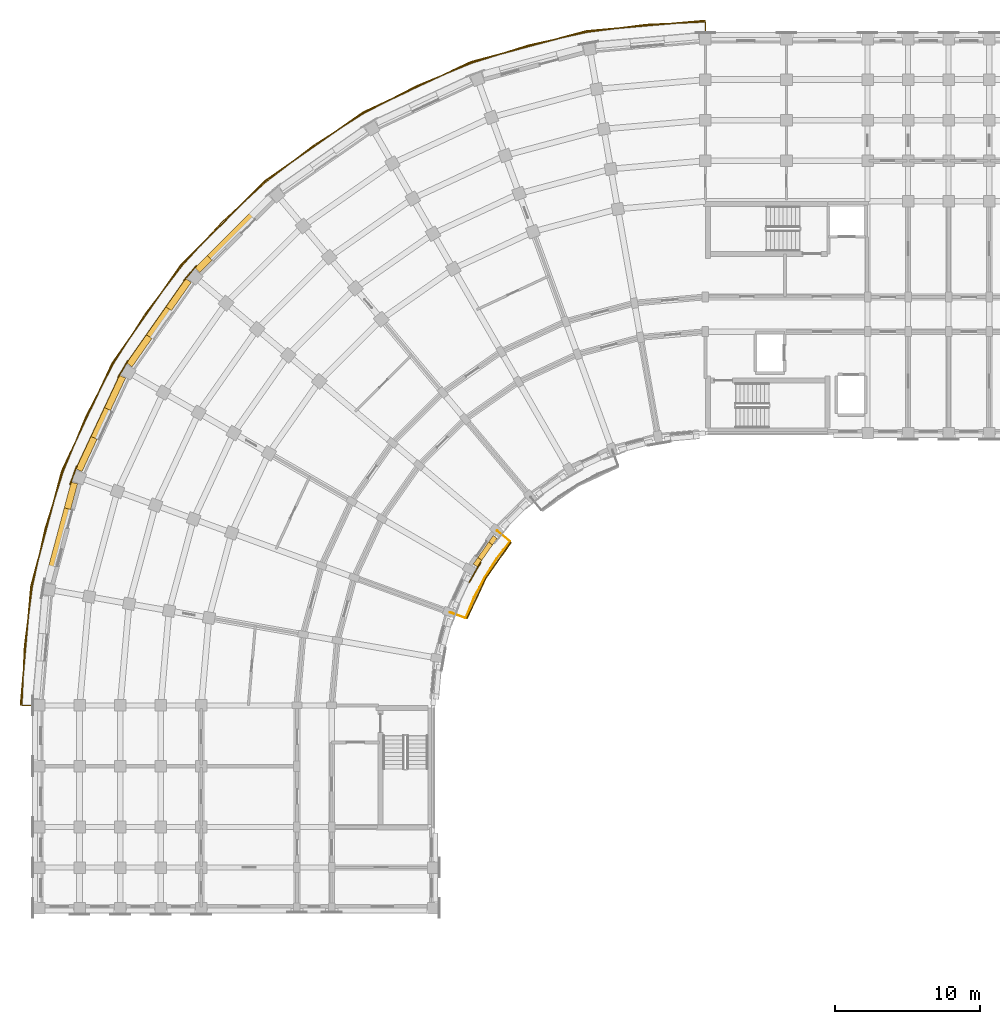
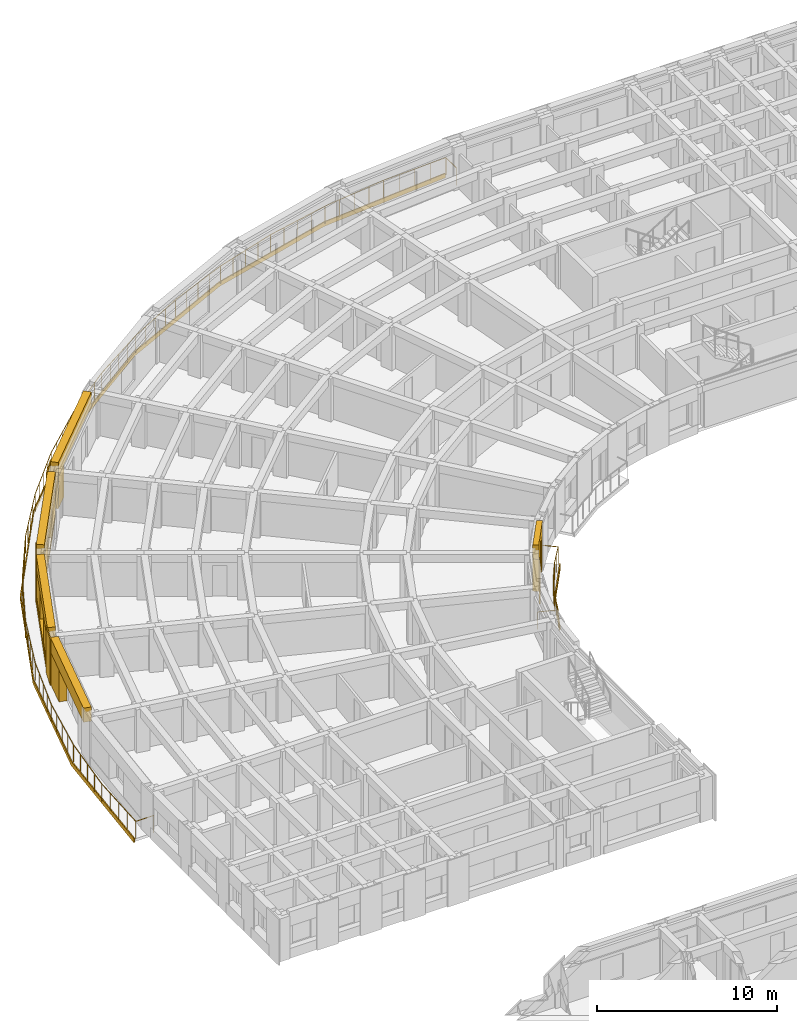
# One storey, part 45 of 54: 21 coverings, 2 railings.
"""IFC4 building model written with IfcOpenShell, lengths in metres."""

from ifc_helpers import new_model, si_unit, direction, frame, origin, origin_2d, place, context, subcontext, project, spatial, polyline, circle, outline, extrude, material, layer, layer_set, type_object, element, save


model = new_model("IFC4")

# Units and contexts
model_context = context("Model", 3, precision=1e-05, world=origin(), true_north=direction((0.0, 1.0)))
body_context = subcontext(model_context, "Body", "Model", "MODEL_VIEW")
ifc_project = project(units=[si_unit("LENGTHUNIT", "METRE"), si_unit("AREAUNIT", "SQUARE_METRE"), si_unit("VOLUMEUNIT", "CUBIC_METRE"), si_unit("PLANEANGLEUNIT", "RADIAN"), si_unit("MASSUNIT", "GRAM", prefix="KILO")], contexts=[model_context])

# Site, building, storey
site_placement = place(None, origin())
site = spatial("IfcSite", under=ifc_project, at=site_placement, CompositionType="ELEMENT")
building_placement = place(site_placement, origin())
building = spatial("IfcBuilding", under=site, at=building_placement, Name="Kiranvali Square Residences", CompositionType="ELEMENT")
storey_placement = place(building_placement, frame((0.0, 0.0, 15.0)))
storey = spatial("IfcBuildingStorey", under=building, at=storey_placement, Name="L04", CompositionType="ELEMENT", Elevation=15.0)

# Coverings
ifc_material_1 = material(Name="Carved Porbandar limestone classical entablature and cornice", Category="masonry")
ifc_layer_1 = layer(ifc_material_1, 0.072021484375)
ifc_layer_set_1 = layer_set([ifc_layer_1], Name="Carved Porbandar limestone classical entablature and cornice")
covering_type_1 = type_object("IfcCoveringType", Name="COV-CLAD-BAL", PredefinedType="CLADDING", material=ifc_layer_set_1)
covering_1_placement = place(storey_placement, frame((0.0, 0.0, -0.239990234375)))
element("IfcCovering", 1, at=covering_1_placement, inside=storey, type_object=covering_type_1, Name="Block A L04 continuous curved limestone balcony fascia", PredefinedType="CLADDING", context=body_context, shape_type="SweptSolid", body=[
    extrude(outline(polyline([(48.199951171875, 135.117919921875), (39.9833984375, 134.399169921875), (32.016357421875, 132.264404296875), (24.541015625, 128.778564453125), (17.78466796875, 124.047607421875), (11.952392578125, 118.21533203125), (7.221435546875, 111.458984375), (3.735595703125, 103.983642578125), (1.600830078125, 96.0166015625), (0.882080078125, 87.800048828125), (0.947998046875, 87.800048828125), (1.665771484375, 96.005126953125), (3.797607421875, 103.961181640625), (7.278564453125, 111.426025390625), (12.0029296875, 118.173095703125), (17.826904296875, 123.9970703125), (24.573974609375, 128.721435546875), (32.038818359375, 132.202392578125), (39.994873046875, 134.334228515625), (48.199951171875, 135.052001953125), (48.199951171875, 135.117919921875)])), origin(), (0.0, 0.0, 1.0), 0.300048828125),
])
ifc_layer_2 = layer(ifc_material_1, 0.06201171875)
ifc_layer_set_2 = layer_set([ifc_layer_2], Name="Carved Porbandar limestone classical entablature and cornice")
covering_type_2 = type_object("IfcCoveringType", Name="COV-CLAD-GBAL", PredefinedType="CLADDING", material=ifc_layer_set_2)
covering_2_placement = place(storey_placement, frame((0.0, 0.0, -0.219970703125)))
element("IfcCovering", 2, at=covering_2_placement, inside=storey, type_object=covering_type_2, Name="Block A L04 garden balcony limestone fascia 2", PredefinedType="CLADDING", context=body_context, shape_type="SweptSolid", body=[
    extrude(outline(polyline([(34.757568359375, 99.07958984375), (33.0029296875, 96.573974609375), (31.710205078125, 93.8017578125), (31.774169921875, 93.778564453125), (33.061767578125, 96.5400390625), (34.8095703125, 99.035888671875), (34.757568359375, 99.07958984375)])), origin(), (0.0, 0.0, 1.0), 0.27001953125),
])
ifc_material_2 = material(Name="Honed Porbandar limestone ashlar facade cladding", Category="masonry")
ifc_layer_3 = layer(ifc_material_2, 0.3798828125)
ifc_layer_set_3 = layer_set([ifc_layer_3], Name="Honed Porbandar limestone ashlar facade cladding")
covering_type_3 = type_object("IfcCoveringType", Name="COV-CLAD-JAMB", PredefinedType="CLADDING", material=ifc_layer_set_3)
covering_3_placement = place(storey_placement, origin())
element("IfcCovering", 3, at=covering_3_placement, inside=storey, type_object=covering_type_3, Name="L04 deep limestone window jamb reveal A-L04-CRV-04.R", PredefinedType="CLADDING", context=body_context, shape_type="SweptSolid", body=[
    extrude(outline(polyline([(13.803955078125, 118.86083984375), (12.954833984375, 118.01171875), (13.27978515625, 117.686767578125), (14.12890625, 118.535888671875), (13.803955078125, 118.86083984375)])), origin(), (0.0, 0.0, 1.0), 2.179931640625),
])
covering_4_placement = place(storey_placement, frame((0.0, 0.0, 0.322021484375)))
element("IfcCovering", 4, at=covering_4_placement, inside=storey, type_object=covering_type_3, Name="L04 deep limestone window jamb reveal A-L04-CRV-05.L", PredefinedType="CLADDING", context=body_context, shape_type="SweptSolid", body=[
    extrude(outline(polyline([(12.3271484375, 117.263427734375), (10.95947265625, 115.310546875), (11.3359375, 115.046875), (12.703369140625, 117.0), (12.3271484375, 117.263427734375)])), origin(), (0.0, 0.0, 1.0), 1.949951171875),
])
covering_5_placement = place(storey_placement, frame((0.0, 0.0, 0.322021484375)))
element("IfcCovering", 5, at=covering_5_placement, inside=storey, type_object=covering_type_3, Name="L04 deep limestone window jamb reveal A-L04-CRV-05.R", PredefinedType="CLADDING", context=body_context, shape_type="SweptSolid", body=[
    extrude(outline(polyline([(9.611572265625, 113.385498046875), (8.244140625, 111.432373046875), (8.62060546875, 111.1689453125), (9.988037109375, 113.121826171875), (9.611572265625, 113.385498046875)])), origin(), (0.0, 0.0, 1.0), 1.949951171875),
])
covering_6_placement = place(storey_placement, frame((0.0, 0.0, 0.471923828125)))
element("IfcCovering", 6, at=covering_6_placement, inside=storey, type_object=covering_type_3, Name="L04 deep limestone window jamb reveal A-L04-CRV-06.L", PredefinedType="CLADDING", context=body_context, shape_type="SweptSolid", body=[
    extrude(outline(polyline([(7.755859375, 110.586669921875), (6.716552734375, 108.35791015625), (7.1328125, 108.16357421875), (8.172119140625, 110.392333984375), (7.755859375, 110.586669921875)])), origin(), (0.0, 0.0, 1.0), 1.800048828125),
])
covering_7_placement = place(storey_placement, frame((0.0, 0.0, 0.471923828125)))
element("IfcCovering", 7, at=covering_7_placement, inside=storey, type_object=covering_type_3, Name="L04 deep limestone window jamb reveal A-L04-CRV-06.R", PredefinedType="CLADDING", context=body_context, shape_type="SweptSolid", body=[
    extrude(outline(polyline([(5.78662109375, 106.364013671875), (4.747314453125, 104.13525390625), (5.163818359375, 103.94091796875), (6.203125, 106.169677734375), (5.78662109375, 106.364013671875)])), origin(), (0.0, 0.0, 1.0), 1.800048828125),
])
covering_8_placement = place(storey_placement, origin())
element("IfcCovering", 8, at=covering_8_placement, inside=storey, type_object=covering_type_3, Name="L04 deep limestone window jamb reveal A-L04-CRV-07.L", PredefinedType="CLADDING", context=body_context, shape_type="SweptSolid", body=[
    extrude(outline(polyline([(4.413330078125, 103.21728515625), (3.936767578125, 101.438720703125), (4.380615234375, 101.31982421875), (4.857177734375, 103.098388671875), (4.413330078125, 103.21728515625)])), origin(), (0.0, 0.0, 1.0), 2.179931640625),
])
covering_9_placement = place(storey_placement, origin())
element("IfcCovering", 9, at=covering_9_placement, inside=storey, type_object=covering_type_3, Name="L04 deep limestone window jamb reveal A-L04-GDN-05.L", PredefinedType="CLADDING", context=body_context, shape_type="SweptSolid", body=[
    extrude(outline(polyline([(33.54638671875, 99.523681640625), (33.231689453125, 99.074462890625), (33.509765625, 98.879638671875), (33.824462890625, 99.328857421875), (33.54638671875, 99.523681640625)])), origin(), (0.0, 0.0, 1.0), 2.179931640625),
])
covering_10_placement = place(storey_placement, origin())
element("IfcCovering", 10, at=covering_10_placement, inside=storey, type_object=covering_type_3, Name="L04 deep limestone window jamb reveal A-L04-GDN-05.R", PredefinedType="CLADDING", context=body_context, shape_type="SweptSolid", body=[
    extrude(outline(polyline([(32.486083984375, 98.009521484375), (32.171630859375, 97.56005859375), (32.44970703125, 97.365478515625), (32.76416015625, 97.814697265625), (32.486083984375, 98.009521484375)])), origin(), (0.0, 0.0, 1.0), 2.179931640625),
])
ifc_layer_4 = layer(ifc_material_2, 0.06494140625)
ifc_layer_set_4 = layer_set([ifc_layer_4], Name="Honed Porbandar limestone ashlar facade cladding")
covering_type_4 = type_object("IfcCoveringType", Name="COV-CLAD-PIER", PredefinedType="CLADDING", material=ifc_layer_set_4)
covering_11_placement = place(storey_placement, frame((0.0, 0.0, 0.0048828125)))
element("IfcCovering", 11, at=covering_11_placement, inside=storey, type_object=covering_type_4, Name="L04 Classical limestone corner pilaster CLAD-PR-A-L04-A05", PredefinedType="CLADDING", context=body_context, shape_type="SweptSolid", body=[
    extrude(outline(polyline([(13.04052734375, 118.18994140625), (12.166259765625, 117.148193359375), (12.218017578125, 117.104736328125), (13.09228515625, 118.146484375), (13.04052734375, 118.18994140625)])), origin(), (0.0, 0.0, 1.0), 3.14013671875),
])
covering_12_placement = place(storey_placement, frame((0.0, 0.0, 0.0048828125)))
element("IfcCovering", 12, at=covering_12_placement, inside=storey, type_object=covering_type_4, Name="L04 Classical limestone corner pilaster CLAD-PR-A-L04-A06", PredefinedType="CLADDING", context=body_context, shape_type="SweptSolid", body=[
    extrude(outline(polyline([(8.297607421875, 111.622802734375), (7.617431640625, 110.445068359375), (7.676025390625, 110.411376953125), (8.35595703125, 111.589111328125), (8.297607421875, 111.622802734375)])), origin(), (0.0, 0.0, 1.0), 3.14013671875),
])
covering_13_placement = place(storey_placement, frame((0.0, 0.0, 0.0048828125)))
element("IfcCovering", 13, at=covering_13_placement, inside=storey, type_object=covering_type_4, Name="L04 Classical limestone corner pilaster CLAD-PR-A-L04-A07", PredefinedType="CLADDING", context=body_context, shape_type="SweptSolid", body=[
    extrude(outline(polyline([(4.766845703125, 104.33203125), (4.3017578125, 103.053955078125), (4.365234375, 103.031005859375), (4.830322265625, 104.308837890625), (4.766845703125, 104.33203125)])), origin(), (0.0, 0.0, 1.0), 3.14013671875),
])
ifc_layer_5 = layer(ifc_material_2, 0.050048828125)
ifc_layer_set_5 = layer_set([ifc_layer_5], Name="Honed Porbandar limestone ashlar facade cladding")
covering_type_5 = type_object("IfcCoveringType", Name="COV-CLAD-PIER-IN", PredefinedType="CLADDING", material=ifc_layer_set_5)
covering_14_placement = place(storey_placement, frame((0.0, 0.0, 0.0048828125)))
element("IfcCovering", 14, at=covering_14_placement, inside=storey, type_object=covering_type_5, Name="L04 Classical garden courtyard pilaster CLAD-PRIN-A-L04-A06", PredefinedType="CLADDING", context=body_context, shape_type="SweptSolid", body=[
    extrude(outline(polyline([(31.924072265625, 96.273193359375), (32.72412109375, 97.658935546875), (32.66552734375, 97.692626953125), (31.865478515625, 96.306884765625), (31.924072265625, 96.273193359375)])), origin(), (0.0, 0.0, 1.0), 3.14013671875),
])
ifc_layer_6 = layer(ifc_material_2, 0.360107421875)
ifc_layer_set_6 = layer_set([ifc_layer_6], Name="Honed Porbandar limestone ashlar facade cladding")
covering_type_6 = type_object("IfcCoveringType", Name="COV-CLAD-WALL", PredefinedType="CLADDING", material=ifc_layer_set_6)
covering_15_placement = place(storey_placement, frame((0.0, 0.0, 2.179931640625)))
element("IfcCovering", 15, at=covering_15_placement, inside=storey, type_object=covering_type_6, Name="L04 light limestone spandrel lintel A-L04-CRV-04", PredefinedType="CLADDING", context=body_context, shape_type="SweptSolid", body=[
    extrude(outline(polyline([(17.98828125, 123.045166015625), (12.954833984375, 118.01171875), (13.27978515625, 117.686767578125), (18.313232421875, 122.72021484375), (17.98828125, 123.045166015625)])), origin(), (0.0, 0.0, 1.0), 0.965087890625),
])
covering_16_placement = place(storey_placement, frame((0.0, 0.0, 2.27197265625)))
element("IfcCovering", 16, at=covering_16_placement, inside=storey, type_object=covering_type_6, Name="L04 light limestone spandrel lintel A-L04-CRV-05", PredefinedType="CLADDING", context=body_context, shape_type="SweptSolid", body=[
    extrude(outline(polyline([(12.3271484375, 117.263427734375), (8.244140625, 111.432373046875), (8.62060546875, 111.1689453125), (12.703369140625, 117.0), (12.3271484375, 117.263427734375)])), origin(), (0.0, 0.0, 1.0), 0.873046875),
])
covering_17_placement = place(storey_placement, frame((0.0, 0.0, 0.0048828125)))
element("IfcCovering", 17, at=covering_17_placement, inside=storey, type_object=covering_type_6, Name="L04 limestone window sill apron A-L04-CRV-05", PredefinedType="CLADDING", context=body_context, shape_type="SweptSolid", body=[
    extrude(outline(polyline([(12.302490234375, 117.28076171875), (8.219482421875, 111.44970703125), (8.62060546875, 111.1689453125), (12.703369140625, 117.0), (12.302490234375, 117.28076171875)])), origin(), (0.0, 0.0, 1.0), 0.317138671875),
])
covering_18_placement = place(storey_placement, frame((0.0, 0.0, 2.27197265625)))
element("IfcCovering", 18, at=covering_18_placement, inside=storey, type_object=covering_type_6, Name="L04 light limestone spandrel lintel A-L04-CRV-06", PredefinedType="CLADDING", context=body_context, shape_type="SweptSolid", body=[
    extrude(outline(polyline([(7.755859375, 110.586669921875), (4.747314453125, 104.13525390625), (5.163818359375, 103.94091796875), (8.172119140625, 110.392333984375), (7.755859375, 110.586669921875)])), origin(), (0.0, 0.0, 1.0), 0.873046875),
])
covering_19_placement = place(storey_placement, frame((0.0, 0.0, 0.0048828125)))
element("IfcCovering", 19, at=covering_19_placement, inside=storey, type_object=covering_type_6, Name="L04 limestone window sill apron A-L04-CRV-06", PredefinedType="CLADDING", context=body_context, shape_type="SweptSolid", body=[
    extrude(outline(polyline([(7.728515625, 110.59912109375), (4.72021484375, 104.14794921875), (5.163818359375, 103.94091796875), (8.172119140625, 110.392333984375), (7.728515625, 110.59912109375)])), origin(), (0.0, 0.0, 1.0), 0.467041015625),
])
covering_20_placement = place(storey_placement, frame((0.0, 0.0, 2.179931640625)))
element("IfcCovering", 20, at=covering_20_placement, inside=storey, type_object=covering_type_6, Name="L04 light limestone spandrel lintel A-L04-CRV-07", PredefinedType="CLADDING", context=body_context, shape_type="SweptSolid", body=[
    extrude(outline(polyline([(4.413330078125, 103.21728515625), (2.571044921875, 96.341552734375), (3.014892578125, 96.22265625), (4.857177734375, 103.098388671875), (4.413330078125, 103.21728515625)])), origin(), (0.0, 0.0, 1.0), 0.965087890625),
])
covering_21_placement = place(storey_placement, frame((0.0, 0.0, 2.179931640625)))
element("IfcCovering", 21, at=covering_21_placement, inside=storey, type_object=covering_type_6, Name="L04 light limestone spandrel lintel A-L04-GDN-05", PredefinedType="CLADDING", context=body_context, shape_type="SweptSolid", body=[
    extrude(outline(polyline([(33.54638671875, 99.523681640625), (32.171630859375, 97.56005859375), (32.44970703125, 97.365478515625), (33.824462890625, 99.328857421875), (33.54638671875, 99.523681640625)])), origin(), (0.0, 0.0, 1.0), 0.965087890625),
])

# Railings
ifc_material_3 = material(Name="Powder-coated architectural bronze balustrade", Category="steel")
railing_type = type_object("IfcRailingType", Name="RL-BAL-GOLD-1200", PredefinedType="BALUSTRADE", material=ifc_material_3)
railing_1_placement = place(storey_placement, frame((48.199951171875, 133.840087890625, 0.0)))
element("IfcRailing", 22, at=railing_1_placement, inside=storey, type_object=railing_type, Name="Block A L04 continuous curved corner gold balustrade", PredefinedType="BALUSTRADE", context=body_context, shape_type="SweptSolid", body=[
    extrude(circle(Radius=0.02392578125, at=origin_2d()), frame((0.0, 0.0, 1.17578125), z_axis=(0.0, 1.0, 0.0), x_axis=(-1.0, 0.0, 0.0)), (0.0, 0.0, 1.0), 1.14990234375),
    extrude(circle(Radius=0.02392578125, at=origin_2d()), frame((0.0, 1.14990234375, 1.17578125), z_axis=(-0.999049544955, -0.043589066576, 0.0), x_axis=(0.043589066576, -0.999049544955, 0.0)), (0.0, 0.0, 1.0), 4.11669921875),
    extrude(circle(Radius=0.02392578125, at=origin_2d()), frame((-4.11279296875, 0.970458984375, 1.17578125), z_axis=(-0.991444603928, -0.1305281477, 0.0), x_axis=(0.1305281477, -0.991444603928, 0.0)), (0.0, 0.0, 1.0), 4.11669921875),
    extrude(circle(Radius=0.02392578125, at=origin_2d()), frame((-8.1943359375, 0.43310546875, 1.17578125), z_axis=(-0.976292989924, -0.216453223181, 0.0), x_axis=(0.216453223181, -0.976292989924, 0.0)), (0.0, 0.0, 1.0), 4.116943359375),
    extrude(circle(Radius=0.02392578125, at=origin_2d()), frame((-12.213623046875, -0.4580078125, 1.17578125), z_axis=(-0.953710744932, -0.300725481131, 0.0), x_axis=(0.300725481131, -0.953710744932, 0.0)), (0.0, 0.0, 1.0), 4.116943359375),
    extrude(circle(Radius=0.02392578125, at=origin_2d()), frame((-16.139892578125, -1.696044921875, 1.17578125), z_axis=(-0.923880226262, -0.382681757498, 0.0), x_axis=(0.382681757498, -0.923880226262, 0.0)), (0.0, 0.0, 1.0), 4.116943359375),
    extrude(circle(Radius=0.02392578125, at=origin_2d()), frame((-19.943359375, -3.271484375, 1.17578125), z_axis=(-0.887013781313, -0.461742949877, 0.0), x_axis=(0.461742949877, -0.887013781313, 0.0)), (0.0, 0.0, 1.0), 4.11669921875),
    extrude(circle(Radius=0.02392578125, at=origin_2d()), frame((-23.594970703125, -5.17236328125, 1.17578125), z_axis=(-0.843402550976, -0.537282176335, 0.0), x_axis=(0.537282176335, -0.843402550976, 0.0)), (0.0, 0.0, 1.0), 4.116943359375),
    extrude(circle(Radius=0.02392578125, at=origin_2d()), frame((-27.067138671875, -7.38427734375, 1.17578125), z_axis=(-0.793339967331, -0.608778856594, 0.0), x_axis=(0.608778856594, -0.793339967331, 0.0)), (0.0, 0.0, 1.0), 4.11669921875),
    extrude(circle(Radius=0.02392578125, at=origin_2d()), frame((-30.3330078125, -9.890380859375, 1.17578125), z_axis=(-0.737299356654, -0.675566176386, 0.0), x_axis=(0.675566176386, -0.737299356654, 0.0)), (0.0, 0.0, 1.0), 4.116943359375),
    extrude(circle(Radius=0.02392578125, at=origin_2d()), frame((-33.368408203125, -12.671630859375, 1.17578125), z_axis=(-0.675566176386, -0.737299356654, 0.0), x_axis=(0.737299356654, -0.675566176386, 0.0)), (0.0, 0.0, 1.0), 4.116943359375),
    extrude(circle(Radius=0.02392578125, at=origin_2d()), frame((-36.149658203125, -15.70703125, 1.17578125), z_axis=(-0.608778856594, -0.793339967331, 0.0), x_axis=(0.793339967331, -0.608778856594, 0.0)), (0.0, 0.0, 1.0), 4.11669921875),
    extrude(circle(Radius=0.02392578125, at=origin_2d()), frame((-38.65576171875, -18.972900390625, 1.17578125), z_axis=(-0.537282176335, -0.843402550976, 0.0), x_axis=(0.843402550976, -0.537282176335, 0.0)), (0.0, 0.0, 1.0), 4.116943359375),
    extrude(circle(Radius=0.02392578125, at=origin_2d()), frame((-40.86767578125, -22.445068359375, 1.17578125), z_axis=(-0.461742949877, -0.887013781313, 0.0), x_axis=(0.887013781313, -0.461742949877, 0.0)), (0.0, 0.0, 1.0), 4.11669921875),
    extrude(circle(Radius=0.02392578125, at=origin_2d()), frame((-42.7685546875, -26.0966796875, 1.17578125), z_axis=(-0.382681757498, -0.923880226262, 0.0), x_axis=(0.923880226262, -0.382681757498, 0.0)), (0.0, 0.0, 1.0), 4.116943359375),
    extrude(circle(Radius=0.02392578125, at=origin_2d()), frame((-44.343994140625, -29.900146484375, 1.17578125), z_axis=(-0.300725481131, -0.953710744932, 0.0), x_axis=(0.953710744932, -0.300725481131, 0.0)), (0.0, 0.0, 1.0), 4.116943359375),
    extrude(circle(Radius=0.02392578125, at=origin_2d()), frame((-45.58203125, -33.826416015625, 1.17578125), z_axis=(-0.216453223181, -0.976292989924, 0.0), x_axis=(0.976292989924, -0.216453223181, 0.0)), (0.0, 0.0, 1.0), 4.116943359375),
    extrude(circle(Radius=0.02392578125, at=origin_2d()), frame((-46.47314453125, -37.845703125, 1.17578125), z_axis=(-0.1305281477, -0.991444603928, 0.0), x_axis=(0.991444603928, -0.1305281477, 0.0)), (0.0, 0.0, 1.0), 4.11669921875),
    extrude(circle(Radius=0.02392578125, at=origin_2d()), frame((-47.010498046875, -41.92724609375, 1.17578125), z_axis=(-0.043589066576, -0.999049544955, 0.0), x_axis=(0.999049544955, -0.043589066576, 0.0)), (0.0, 0.0, 1.0), 4.11669921875),
    extrude(circle(Radius=0.02392578125, at=origin_2d()), frame((-47.18994140625, -46.0400390625, 1.17578125), z_axis=(1.0, 0.0, 0.0), x_axis=(0.0, 1.0, 0.0)), (0.0, 0.0, 1.0), 1.14990234375),
    extrude(circle(Radius=0.02099609375, at=origin_2d()), origin(), (0.0, 0.0, 1.0), 1.15185546875),
    extrude(circle(Radius=0.02099609375, at=origin_2d()), frame((0.0, 1.14990234375, 0.0)), (0.0, 0.0, 1.0), 1.15185546875),
    extrude(circle(Radius=0.02099609375, at=origin_2d()), frame((-1.0283203125, 1.10498046875, 0.0)), (0.0, 0.0, 1.0), 1.15185546875),
    extrude(circle(Radius=0.02099609375, at=origin_2d()), frame((-2.056396484375, 1.06005859375, 0.0)), (0.0, 0.0, 1.0), 1.15185546875),
    extrude(circle(Radius=0.02099609375, at=origin_2d()), frame((-3.08447265625, 1.015380859375, 0.0)), (0.0, 0.0, 1.0), 1.15185546875),
    extrude(circle(Radius=0.02099609375, at=origin_2d()), frame((-4.11279296875, 0.970458984375, 0.0)), (0.0, 0.0, 1.0), 1.15185546875),
    extrude(circle(Radius=0.02099609375, at=origin_2d()), frame((-5.13330078125, 0.836181640625, 0.0)), (0.0, 0.0, 1.0), 1.15185546875),
    extrude(circle(Radius=0.02099609375, at=origin_2d()), frame((-6.153564453125, 0.70166015625, 0.0)), (0.0, 0.0, 1.0), 1.15185546875),
    extrude(circle(Radius=0.02099609375, at=origin_2d()), frame((-7.173828125, 0.5673828125, 0.0)), (0.0, 0.0, 1.0), 1.15185546875),
    extrude(circle(Radius=0.02099609375, at=origin_2d()), frame((-8.1943359375, 0.43310546875, 0.0)), (0.0, 0.0, 1.0), 1.15185546875),
    extrude(circle(Radius=0.02099609375, at=origin_2d()), frame((-9.19921875, 0.21044921875, 0.0)), (0.0, 0.0, 1.0), 1.15185546875),
    extrude(circle(Radius=0.02099609375, at=origin_2d()), frame((-10.2041015625, -0.012451171875, 0.0)), (0.0, 0.0, 1.0), 1.15185546875),
    extrude(circle(Radius=0.02099609375, at=origin_2d()), frame((-11.208740234375, -0.2353515625, 0.0)), (0.0, 0.0, 1.0), 1.15185546875),
    extrude(circle(Radius=0.02099609375, at=origin_2d()), frame((-12.213623046875, -0.4580078125, 0.0)), (0.0, 0.0, 1.0), 1.15185546875),
    extrude(circle(Radius=0.02099609375, at=origin_2d()), frame((-13.1953125, -0.767578125, 0.0)), (0.0, 0.0, 1.0), 1.15185546875),
    extrude(circle(Radius=0.02099609375, at=origin_2d()), frame((-14.1767578125, -1.0771484375, 0.0)), (0.0, 0.0, 1.0), 1.15185546875),
    extrude(circle(Radius=0.02099609375, at=origin_2d()), frame((-15.158203125, -1.386474609375, 0.0)), (0.0, 0.0, 1.0), 1.15185546875),
    extrude(circle(Radius=0.02099609375, at=origin_2d()), frame((-16.139892578125, -1.696044921875, 0.0)), (0.0, 0.0, 1.0), 1.15185546875),
    extrude(circle(Radius=0.02099609375, at=origin_2d()), frame((-17.0908203125, -2.08984375, 0.0)), (0.0, 0.0, 1.0), 1.15185546875),
    extrude(circle(Radius=0.02099609375, at=origin_2d()), frame((-18.04150390625, -2.48388671875, 0.0)), (0.0, 0.0, 1.0), 1.15185546875),
    extrude(circle(Radius=0.02099609375, at=origin_2d()), frame((-18.992431640625, -2.877685546875, 0.0)), (0.0, 0.0, 1.0), 1.15185546875),
    extrude(circle(Radius=0.02099609375, at=origin_2d()), frame((-19.943359375, -3.271484375, 0.0)), (0.0, 0.0, 1.0), 1.15185546875),
    extrude(circle(Radius=0.02099609375, at=origin_2d()), frame((-20.856201171875, -3.74658203125, 0.0)), (0.0, 0.0, 1.0), 1.15185546875),
    extrude(circle(Radius=0.02099609375, at=origin_2d()), frame((-21.76904296875, -4.221923828125, 0.0)), (0.0, 0.0, 1.0), 1.15185546875),
    extrude(circle(Radius=0.02099609375, at=origin_2d()), frame((-22.68212890625, -4.697265625, 0.0)), (0.0, 0.0, 1.0), 1.15185546875),
    extrude(circle(Radius=0.02099609375, at=origin_2d()), frame((-23.594970703125, -5.17236328125, 0.0)), (0.0, 0.0, 1.0), 1.15185546875),
    extrude(circle(Radius=0.02099609375, at=origin_2d()), frame((-24.462890625, -5.725341796875, 0.0)), (0.0, 0.0, 1.0), 1.15185546875),
    extrude(circle(Radius=0.02099609375, at=origin_2d()), frame((-25.3310546875, -6.2783203125, 0.0)), (0.0, 0.0, 1.0), 1.15185546875),
    extrude(circle(Radius=0.02099609375, at=origin_2d()), frame((-26.19921875, -6.831298828125, 0.0)), (0.0, 0.0, 1.0), 1.15185546875),
    extrude(circle(Radius=0.02099609375, at=origin_2d()), frame((-27.067138671875, -7.38427734375, 0.0)), (0.0, 0.0, 1.0), 1.15185546875),
    extrude(circle(Radius=0.02099609375, at=origin_2d()), frame((-27.883544921875, -8.0107421875, 0.0)), (0.0, 0.0, 1.0), 1.15185546875),
    extrude(circle(Radius=0.02099609375, at=origin_2d()), frame((-28.7001953125, -8.63720703125, 0.0)), (0.0, 0.0, 1.0), 1.15185546875),
    extrude(circle(Radius=0.02099609375, at=origin_2d()), frame((-29.5166015625, -9.263916015625, 0.0)), (0.0, 0.0, 1.0), 1.15185546875),
    extrude(circle(Radius=0.02099609375, at=origin_2d()), frame((-30.3330078125, -9.890380859375, 0.0)), (0.0, 0.0, 1.0), 1.15185546875),
    extrude(circle(Radius=0.02099609375, at=origin_2d()), frame((-31.091796875, -10.585693359375, 0.0)), (0.0, 0.0, 1.0), 1.15185546875),
    extrude(circle(Radius=0.02099609375, at=origin_2d()), frame((-31.8505859375, -11.281005859375, 0.0)), (0.0, 0.0, 1.0), 1.15185546875),
    extrude(circle(Radius=0.02099609375, at=origin_2d()), frame((-32.609619140625, -11.976318359375, 0.0)), (0.0, 0.0, 1.0), 1.15185546875),
    extrude(circle(Radius=0.02099609375, at=origin_2d()), frame((-33.368408203125, -12.671630859375, 0.0)), (0.0, 0.0, 1.0), 1.15185546875),
    extrude(circle(Radius=0.02099609375, at=origin_2d()), frame((-34.063720703125, -13.430419921875, 0.0)), (0.0, 0.0, 1.0), 1.15185546875),
    extrude(circle(Radius=0.02099609375, at=origin_2d()), frame((-34.759033203125, -14.189453125, 0.0)), (0.0, 0.0, 1.0), 1.15185546875),
    extrude(circle(Radius=0.02099609375, at=origin_2d()), frame((-35.454345703125, -14.9482421875, 0.0)), (0.0, 0.0, 1.0), 1.15185546875),
    extrude(circle(Radius=0.02099609375, at=origin_2d()), frame((-36.149658203125, -15.70703125, 0.0)), (0.0, 0.0, 1.0), 1.15185546875),
    extrude(circle(Radius=0.02099609375, at=origin_2d()), frame((-36.776123046875, -16.5234375, 0.0)), (0.0, 0.0, 1.0), 1.15185546875),
    extrude(circle(Radius=0.02099609375, at=origin_2d()), frame((-37.40283203125, -17.33984375, 0.0)), (0.0, 0.0, 1.0), 1.15185546875),
    extrude(circle(Radius=0.02099609375, at=origin_2d()), frame((-38.029296875, -18.156494140625, 0.0)), (0.0, 0.0, 1.0), 1.15185546875),
    extrude(circle(Radius=0.02099609375, at=origin_2d()), frame((-38.65576171875, -18.972900390625, 0.0)), (0.0, 0.0, 1.0), 1.15185546875),
    extrude(circle(Radius=0.02099609375, at=origin_2d()), frame((-39.208740234375, -19.8408203125, 0.0)), (0.0, 0.0, 1.0), 1.15185546875),
    extrude(circle(Radius=0.02099609375, at=origin_2d()), frame((-39.76171875, -20.708984375, 0.0)), (0.0, 0.0, 1.0), 1.15185546875),
    extrude(circle(Radius=0.02099609375, at=origin_2d()), frame((-40.314697265625, -21.5771484375, 0.0)), (0.0, 0.0, 1.0), 1.15185546875),
    extrude(circle(Radius=0.02099609375, at=origin_2d()), frame((-40.86767578125, -22.445068359375, 0.0)), (0.0, 0.0, 1.0), 1.15185546875),
    extrude(circle(Radius=0.02099609375, at=origin_2d()), frame((-41.3427734375, -23.35791015625, 0.0)), (0.0, 0.0, 1.0), 1.15185546875),
    extrude(circle(Radius=0.02099609375, at=origin_2d()), frame((-41.818115234375, -24.27099609375, 0.0)), (0.0, 0.0, 1.0), 1.15185546875),
    extrude(circle(Radius=0.02099609375, at=origin_2d()), frame((-42.29345703125, -25.183837890625, 0.0)), (0.0, 0.0, 1.0), 1.15185546875),
    extrude(circle(Radius=0.02099609375, at=origin_2d()), frame((-42.7685546875, -26.0966796875, 0.0)), (0.0, 0.0, 1.0), 1.15185546875),
    extrude(circle(Radius=0.02099609375, at=origin_2d()), frame((-43.162353515625, -27.047607421875, 0.0)), (0.0, 0.0, 1.0), 1.15185546875),
    extrude(circle(Radius=0.02099609375, at=origin_2d()), frame((-43.55615234375, -27.99853515625, 0.0)), (0.0, 0.0, 1.0), 1.15185546875),
    extrude(circle(Radius=0.02099609375, at=origin_2d()), frame((-43.9501953125, -28.94921875, 0.0)), (0.0, 0.0, 1.0), 1.15185546875),
    extrude(circle(Radius=0.02099609375, at=origin_2d()), frame((-44.343994140625, -29.900146484375, 0.0)), (0.0, 0.0, 1.0), 1.15185546875),
    extrude(circle(Radius=0.02099609375, at=origin_2d()), frame((-44.653564453125, -30.8818359375, 0.0)), (0.0, 0.0, 1.0), 1.15185546875),
    extrude(circle(Radius=0.02099609375, at=origin_2d()), frame((-44.962890625, -31.86328125, 0.0)), (0.0, 0.0, 1.0), 1.15185546875),
    extrude(circle(Radius=0.02099609375, at=origin_2d()), frame((-45.2724609375, -32.8447265625, 0.0)), (0.0, 0.0, 1.0), 1.15185546875),
    extrude(circle(Radius=0.02099609375, at=origin_2d()), frame((-45.58203125, -33.826416015625, 0.0)), (0.0, 0.0, 1.0), 1.15185546875),
    extrude(circle(Radius=0.02099609375, at=origin_2d()), frame((-45.8046875, -34.831298828125, 0.0)), (0.0, 0.0, 1.0), 1.15185546875),
    extrude(circle(Radius=0.02099609375, at=origin_2d()), frame((-46.027587890625, -35.8359375, 0.0)), (0.0, 0.0, 1.0), 1.15185546875),
    extrude(circle(Radius=0.02099609375, at=origin_2d()), frame((-46.25048828125, -36.8408203125, 0.0)), (0.0, 0.0, 1.0), 1.15185546875),
    extrude(circle(Radius=0.02099609375, at=origin_2d()), frame((-46.47314453125, -37.845703125, 0.0)), (0.0, 0.0, 1.0), 1.15185546875),
    extrude(circle(Radius=0.02099609375, at=origin_2d()), frame((-46.607421875, -38.8662109375, 0.0)), (0.0, 0.0, 1.0), 1.15185546875),
    extrude(circle(Radius=0.02099609375, at=origin_2d()), frame((-46.74169921875, -39.886474609375, 0.0)), (0.0, 0.0, 1.0), 1.15185546875),
    extrude(circle(Radius=0.02099609375, at=origin_2d()), frame((-46.876220703125, -40.90673828125, 0.0)), (0.0, 0.0, 1.0), 1.15185546875),
    extrude(circle(Radius=0.02099609375, at=origin_2d()), frame((-47.010498046875, -41.92724609375, 0.0)), (0.0, 0.0, 1.0), 1.15185546875),
    extrude(circle(Radius=0.02099609375, at=origin_2d()), frame((-47.055419921875, -42.95556640625, 0.0)), (0.0, 0.0, 1.0), 1.15185546875),
    extrude(circle(Radius=0.02099609375, at=origin_2d()), frame((-47.10009765625, -43.983642578125, 0.0)), (0.0, 0.0, 1.0), 1.15185546875),
    extrude(circle(Radius=0.02099609375, at=origin_2d()), frame((-47.14501953125, -45.01171875, 0.0)), (0.0, 0.0, 1.0), 1.15185546875),
    extrude(circle(Radius=0.02099609375, at=origin_2d()), frame((-47.18994140625, -46.0400390625, 0.0)), (0.0, 0.0, 1.0), 1.15185546875),
    extrude(circle(Radius=0.02099609375, at=origin_2d()), frame((-46.0400390625, -46.0400390625, 0.0)), (0.0, 0.0, 1.0), 1.15185546875),
])
railing_2_placement = place(storey_placement, frame((33.8291015625, 99.858642578125, 0.0)))
element("IfcRailing", 23, at=railing_2_placement, inside=storey, type_object=railing_type, Name="Block A L04 garden balcony gold balustrade 2", PredefinedType="BALUSTRADE", context=body_context, shape_type="SweptSolid", body=[
    extrude(circle(Radius=0.02392578125, at=origin_2d()), frame((0.0, 0.0, 1.17578125), z_axis=(0.765989188314, -0.642853454051, 0.0), x_axis=(0.642853454051, 0.765989188314, 0.0)), (0.0, 0.0, 1.0), 1.14990234375),
    extrude(circle(Radius=0.02392578125, at=origin_2d()), frame((0.880859375, -0.7392578125, 1.17578125), z_axis=(-0.608811807471, -0.793314680996, 0.0), x_axis=(0.793314680996, -0.608811807471, 0.0)), (0.0, 0.0, 1.0), 1.536376953125),
    extrude(circle(Radius=0.02392578125, at=origin_2d()), frame((-0.054443359375, -1.9580078125, 1.17578125), z_axis=(-0.537307309343, -0.843386539688, 0.0), x_axis=(0.843386539688, -0.537307309343, 0.0)), (0.0, 0.0, 1.0), 1.5361328125),
    extrude(circle(Radius=0.02392578125, at=origin_2d()), frame((-0.8798828125, -3.253662109375, 1.17578125), z_axis=(-0.461713009976, -0.887029366154, 0.0), x_axis=(0.887029366154, -0.461713009976, 0.0)), (0.0, 0.0, 1.0), 1.5361328125),
    extrude(circle(Radius=0.02392578125, at=origin_2d()), frame((-1.589111328125, -4.6162109375, 1.17578125), z_axis=(-0.382651197843, -0.923892883829, 0.0), x_axis=(0.923892883829, -0.382651197843, 0.0)), (0.0, 0.0, 1.0), 1.536376953125),
    extrude(circle(Radius=0.02392578125, at=origin_2d()), frame((-2.177001953125, -6.03564453125, 1.17578125), z_axis=(-0.939712828289, 0.341964618562, 0.0), x_axis=(-0.341964618562, -0.939712828289, 0.0)), (0.0, 0.0, 1.0), 1.150146484375),
    extrude(circle(Radius=0.02099609375, at=origin_2d()), origin(), (0.0, 0.0, 1.0), 1.15185546875),
    extrude(circle(Radius=0.02099609375, at=origin_2d()), frame((0.880859375, -0.7392578125, 0.0)), (0.0, 0.0, 1.0), 1.15185546875),
    extrude(circle(Radius=0.02099609375, at=origin_2d()), frame((0.4130859375, -1.3486328125, 0.0)), (0.0, 0.0, 1.0), 1.15185546875),
    extrude(circle(Radius=0.02099609375, at=origin_2d()), frame((-0.054443359375, -1.9580078125, 0.0)), (0.0, 0.0, 1.0), 1.15185546875),
    extrude(circle(Radius=0.02099609375, at=origin_2d()), frame((-0.46728515625, -2.60595703125, 0.0)), (0.0, 0.0, 1.0), 1.15185546875),
    extrude(circle(Radius=0.02099609375, at=origin_2d()), frame((-0.8798828125, -3.253662109375, 0.0)), (0.0, 0.0, 1.0), 1.15185546875),
    extrude(circle(Radius=0.02099609375, at=origin_2d()), frame((-1.234375, -3.93505859375, 0.0)), (0.0, 0.0, 1.0), 1.15185546875),
    extrude(circle(Radius=0.02099609375, at=origin_2d()), frame((-1.589111328125, -4.6162109375, 0.0)), (0.0, 0.0, 1.0), 1.15185546875),
    extrude(circle(Radius=0.02099609375, at=origin_2d()), frame((-1.883056640625, -5.325927734375, 0.0)), (0.0, 0.0, 1.0), 1.15185546875),
    extrude(circle(Radius=0.02099609375, at=origin_2d()), frame((-2.177001953125, -6.03564453125, 0.0)), (0.0, 0.0, 1.0), 1.15185546875),
    extrude(circle(Radius=0.02099609375, at=origin_2d()), frame((-3.2578125, -5.642333984375, 0.0)), (0.0, 0.0, 1.0), 1.15185546875),
])

save(model, "model.ifc")
